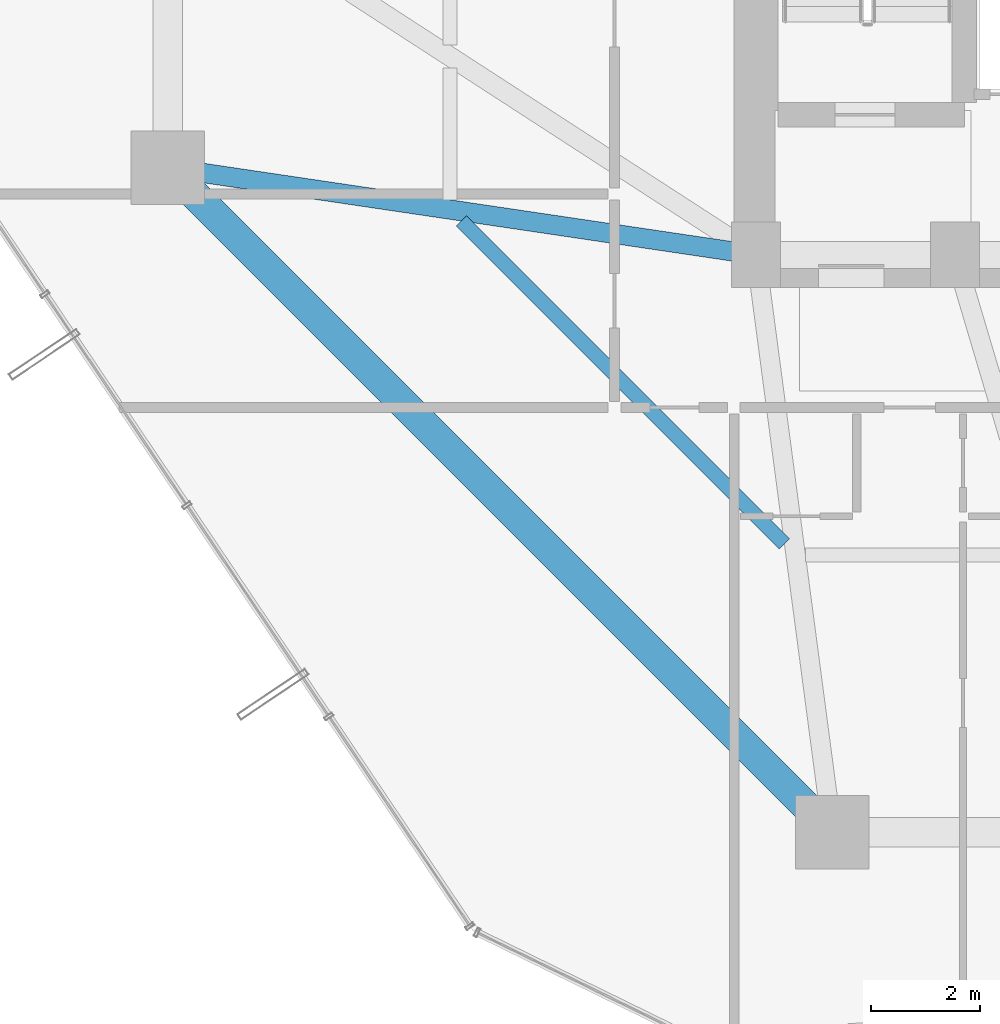
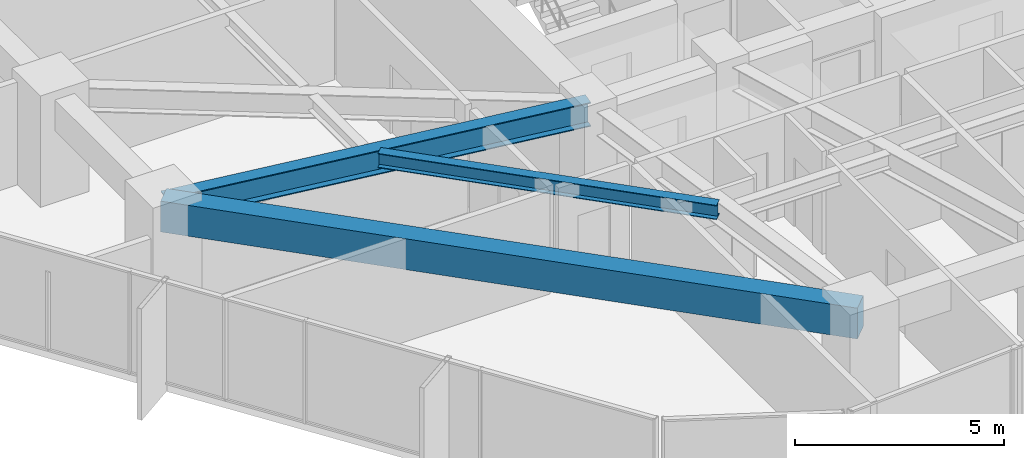
# One storey, part 5 of 37: 3 beams.
"""IFC4 building model written with IfcOpenShell, lengths in metres."""

import ifcopenshell
import ifcopenshell.guid

model = None  # the IFC model being written
_history = None  # IfcOwnerHistory: only IFC2X3 demands one
_inside = {}  # id of a spatial element -> (the spatial element, [elements in it])
_under = {}  # id of a project, library or spatial element -> (it, [spatial elements below it])
_declared = {}  # id of a project -> (the project, [libraries it declares])
_typed = {}  # id of a type object -> (the type object, [elements of that type])
_made_of = {}  # id of a material, layer set ... -> (it, [elements and type objects made of it])


def new_model(schema):
    """Start an empty IFC model of exactly this schema.

    Asked for "IFC4X3", IfcOpenShell would pick the latest addendum, in which some entities
    have other attributes; the version numbers below select the first issue.
    IFC2X3 requires an IfcOwnerHistory on every rooted entity: one is made here for all.
    """
    global model, _history
    if schema == "IFC4X3":
        model = ifcopenshell.file(schema_version=(4, 3, 0, 0))
    else:
        model = ifcopenshell.file(schema=schema)
    _inside.clear()
    _under.clear()
    _declared.clear()
    _typed.clear()
    _made_of.clear()
    _history = None
    if model.schema == "IFC2X3":
        org = make("IfcOrganization", Name="unknown")
        user = make(
            "IfcPersonAndOrganization",
            ThePerson=make("IfcPerson", FamilyName="unknown"),
            TheOrganization=org,
        )
        app = make(
            "IfcApplication",
            ApplicationDeveloper=org,
            Version="unknown",
            ApplicationFullName="unknown",
            ApplicationIdentifier="unknown",
        )
        _history = make(
            "IfcOwnerHistory",
            OwningUser=user,
            OwningApplication=app,
            ChangeAction="ADDED",
            CreationDate=0,
        )
    return model


def make(cls, **values):
    """One entity of the class cls with the attributes given. An attribute that is None is left unset."""
    return model.create_entity(
        cls, **{name: value for name, value in values.items() if value is not None}
    )


def rooted(cls, **values):
    """An entity with a GlobalId (a new one), such as an element, a storey or a relation."""
    return make(cls, GlobalId=ifcopenshell.guid.new(), OwnerHistory=_history, **values)


def si_unit(unit_type, name, prefix=None):
    """IfcSIUnit, for example si_unit("LENGTHUNIT", "METRE", prefix="MILLI")."""
    return make("IfcSIUnit", UnitType=unit_type, Prefix=prefix, Name=name)


def assignment(units):
    """IfcUnitAssignment: the units of a project."""
    return None if units is None else make("IfcUnitAssignment", Units=units)


def point(xyz):
    """IfcCartesianPoint."""
    return None if xyz is None else make("IfcCartesianPoint", Coordinates=xyz)


def direction(xyz):
    """IfcDirection."""
    return None if xyz is None else make("IfcDirection", DirectionRatios=xyz)


def frame(location, z_axis=None, x_axis=None):
    """IfcAxis2Placement3D, a coordinate frame: its origin and axes. An axis left out is left unset."""
    return make(
        "IfcAxis2Placement3D",
        Location=point(location),
        Axis=direction(z_axis),
        RefDirection=direction(x_axis),
    )


def frame_2d(location, x_axis=None):
    """IfcAxis2Placement2D, a coordinate frame in the plane: its origin and x axis."""
    return make(
        "IfcAxis2Placement2D", Location=point(location), RefDirection=direction(x_axis)
    )


def origin():
    """The frame at (0, 0, 0) with its axes left unset."""
    return frame((0.0, 0.0, 0.0))


def origin_2d():
    """The frame at (0, 0) in the plane with its x axis left unset."""
    return frame_2d((0.0, 0.0))


def place(relative_to, where):
    """IfcLocalPlacement: puts the frame where relative to a parent placement (None: the world)."""
    return make(
        "IfcLocalPlacement", PlacementRelTo=relative_to, RelativePlacement=where
    )


def context(
    kind, dimensions, precision=None, world=None, true_north=None, identifier=None
):
    """IfcGeometricRepresentationContext, for example the 3D "Model" context."""
    return make(
        "IfcGeometricRepresentationContext",
        ContextIdentifier=identifier,
        ContextType=kind,
        CoordinateSpaceDimension=dimensions,
        Precision=precision,
        WorldCoordinateSystem=world,
        TrueNorth=true_north,
    )


def subcontext(parent, identifier, kind, view, scale=None):
    """IfcGeometricRepresentationSubContext, for example "Body" below "Model"."""
    return make(
        "IfcGeometricRepresentationSubContext",
        ContextIdentifier=identifier,
        ContextType=kind,
        ParentContext=parent,
        TargetScale=scale,
        TargetView=view,
    )


def project(units=None, contexts=None):
    """IfcProject with its units and contexts."""
    return rooted(
        "IfcProject",
        Name="project",
        RepresentationContexts=contexts,
        UnitsInContext=assignment(units),
    )


def spatial(cls, under=None, at=None, **own):
    """A site, building, storey or space (cls), placed at a placement, below another one or the project."""
    s = rooted(cls, ObjectPlacement=at, **own)
    if under is not None:
        _under.setdefault(under.id(), (under, []))[1].append(s)
    return s


def profile(cls, at=None, kind="AREA", **sizes):
    """A parametric profile (cls). Its sizes go by their IFC names, for example OverallWidth=200.0."""
    return make(cls, ProfileType=kind, Position=at, **sizes)


def rectangle(**sizes):
    """IfcRectangleProfileDef."""
    return profile("IfcRectangleProfileDef", **sizes)


def i_section(**sizes):
    """IfcIShapeProfileDef."""
    return profile("IfcIShapeProfileDef", **sizes)


def extrude(swept, where, along, depth):
    """IfcExtrudedAreaSolid: the profile swept, set in the frame where, extruded along a direction by depth."""
    return make(
        "IfcExtrudedAreaSolid",
        SweptArea=swept,
        Position=where,
        ExtrudedDirection=direction(along),
        Depth=depth,
    )


def shape(context_of_items, identifier, shape_type, items):
    """IfcShapeRepresentation: the items that make up one representation, for example the "Body"."""
    return make(
        "IfcShapeRepresentation",
        ContextOfItems=context_of_items,
        RepresentationIdentifier=identifier,
        RepresentationType=shape_type,
        Items=items,
    )


def material(Name=None, Category=None):
    """IfcMaterial."""
    return make("IfcMaterial", Name=Name, Category=Category)


def material_profile(
    of_material, cross_section, Name=None, Category=None, Priority=None
):
    """IfcMaterialProfile: a cross section and its material."""
    return make(
        "IfcMaterialProfile",
        Name=Name,
        Material=of_material,
        Profile=cross_section,
        Priority=Priority,
        Category=Category,
    )


def profile_set(profiles, Name=None, composite=None):
    """IfcMaterialProfileSet."""
    return make(
        "IfcMaterialProfileSet",
        Name=Name,
        MaterialProfiles=profiles,
        CompositeProfile=composite,
    )


def made_of(thing, what):
    """Note that an element or type object is made of a material, layer set ...; save() writes the relation."""
    if what is not None:
        _made_of.setdefault(what.id(), (what, []))[1].append(thing)
    return thing


def type_object(cls, material=None, **own):
    """A type object (cls), such as IfcWallType, which elements share."""
    return made_of(rooted(cls, **own), material)


def element(
    cls,
    number,
    at=None,
    inside=None,
    cuts=None,
    type_object=None,
    material=None,
    context=None,
    identifier="Body",
    shape_type=None,
    held_by="IfcProductDefinitionShape",
    body=None,
    shapes=None,
    **own,
):
    """One element of the class cls, such as IfcWall. Its Tag is "e" and its number.

    at: its placement. inside: the storey or other place that contains it. cuts: it is an
    opening in that element (IfcRelVoidsElement). A single representation is given by context,
    identifier, shape_type and body (its items); several are given by shapes. held_by: the class
    of the entity that holds the representations. save() writes the other relations.
    """
    e = rooted(cls, Tag="e%d" % number, ObjectPlacement=at, **own)
    if body is not None:
        shapes = [shape(context, identifier, shape_type, body)]
    if shapes is not None:
        e.Representation = make(held_by, Representations=shapes)
    if inside is not None:
        _inside.setdefault(inside.id(), (inside, []))[1].append(e)
    if cuts is not None:
        rooted(
            "IfcRelVoidsElement", RelatingBuildingElement=cuts, RelatedOpeningElement=e
        )
    if type_object is not None:
        _typed.setdefault(type_object.id(), (type_object, []))[1].append(e)
    return made_of(e, material)


def aggregate(whole, parts):
    """IfcRelAggregates: a whole, such as a stair, and the parts it consists of."""
    return rooted("IfcRelAggregates", RelatingObject=whole, RelatedObjects=parts)


def save(model, path):
    """Write the relations noted so far, then the file.

    IfcRelAggregates (storeys below a building ...), IfcRelContainedInSpatialStructure (elements
    in a storey), IfcRelDefinesByType, IfcRelAssociatesMaterial and IfcRelDeclares: one each for
    every whole, place, type object, material and project.
    """
    for whole, parts in _under.values():
        aggregate(whole, parts)
    for where, things in _inside.values():
        rooted(
            "IfcRelContainedInSpatialStructure",
            RelatedElements=things,
            RelatingStructure=where,
        )
    for kind, things in _typed.values():
        rooted("IfcRelDefinesByType", RelatedObjects=things, RelatingType=kind)
    for what, things in _made_of.values():
        rooted("IfcRelAssociatesMaterial", RelatedObjects=things, RelatingMaterial=what)
    for by, libraries in _declared.values():
        rooted("IfcRelDeclares", RelatingContext=by, RelatedDefinitions=libraries)
    model.write(path)


model = new_model("IFC4")

# Units and contexts
model_context = context("Model", 3, precision=1e-05, world=origin(), true_north=direction((0.0, 1.0)))
body_context = subcontext(model_context, "Body", "Model", "MODEL_VIEW")
ifc_project = project(units=[si_unit("LENGTHUNIT", "METRE"), si_unit("AREAUNIT", "SQUARE_METRE"), si_unit("VOLUMEUNIT", "CUBIC_METRE"), si_unit("PLANEANGLEUNIT", "RADIAN"), si_unit("MASSUNIT", "GRAM", prefix="KILO")], contexts=[model_context])

# Site, building, storey
site_placement = place(None, origin())
site = spatial("IfcSite", under=ifc_project, at=site_placement, CompositionType="ELEMENT")
building_placement = place(site_placement, origin())
building = spatial("IfcBuilding", under=site, at=building_placement, Name="Veraguas Prism Commons", CompositionType="ELEMENT")
storey_placement = place(building_placement, frame((0.0, 0.0, 37.050048828125)))
storey = spatial("IfcBuildingStorey", under=building, at=storey_placement, Name="L09", CompositionType="ELEMENT", Elevation=37.050048828125)

# Beams
ifc_material_1 = material(Name="Steel ASTM A992 Grade 50", Category="steel")
ifc_material_profile_1 = material_profile(ifc_material_1, i_section(OverallWidth=0.260986328125, OverallDepth=0.419921875, WebThickness=0.01171875, FlangeThickness=0.019287109375, at=origin_2d()), Name="W410X114")
ifc_profile_set_1 = profile_set([ifc_material_profile_1], Name="Steel ASTM A992 Grade 50")
beam_type_1 = type_object("IfcBeamType", Name="Lower Floor Joist W410x114", PredefinedType="JOIST", material=ifc_profile_set_1)
beam_1_placement = place(storey_placement, frame((11.79296875, 17.623046875, 2.7900390625), z_axis=(0.707092226423, -0.70712133565, 0.0), x_axis=(0.70712133565, 0.707092226423, 0.0)))
element("IfcBeam", 1, at=beam_1_placement, inside=storey, type_object=beam_type_1, Name="Composite Floor Joist L09-JS09", PredefinedType="JOIST", context=body_context, shape_type="SweptSolid", body=[
    extrude(i_section(OverallWidth=0.260986328125, OverallDepth=0.419921875, WebThickness=0.01171875, FlangeThickness=0.019287109375, at=origin_2d()), origin(), (0.0, 0.0, 1.0), 8.386962890625),
])
ifc_material_2 = material(Name="Concrete C50/60", Category="concrete")
ifc_material_profile_2 = material_profile(ifc_material_2, rectangle(XDim=0.550048828125, YDim=0.89990234375, at=origin_2d()), Name="RC550X900")
ifc_profile_set_2 = profile_set([ifc_material_profile_2], Name="Concrete C50/60")
beam_type_2 = type_object("IfcBeamType", Name="Perimeter Spandrel Lower RC 550x900", PredefinedType="SPANDREL", material=ifc_profile_set_2)
beam_2_placement = place(storey_placement, frame((6.39990234375, 18.60009765625, 2.550048828125), z_axis=(0.707106781187, -0.707106781187, 0.0), x_axis=(0.707106781187, 0.707106781187, 0.0)))
element("IfcBeam", 2, at=beam_2_placement, inside=storey, type_object=beam_type_2, Name="Perimeter Spandrel Beam L09-SP09", PredefinedType="SPANDREL", context=body_context, shape_type="SweptSolid", body=[
    extrude(rectangle(XDim=0.550048828125, YDim=0.89990234375, at=origin_2d()), origin(), (0.0, 0.0, 1.0), 17.253662109375),
])
ifc_material_profile_3 = material_profile(ifc_material_1, i_section(OverallWidth=0.35595703125, OverallDepth=0.700927734375, WebThickness=0.016845703125, FlangeThickness=0.02734375, at=origin_2d()), Name="W690X240")
ifc_profile_set_3 = profile_set([ifc_material_profile_3], Name="Steel ASTM A992 Grade 50")
beam_type_3 = type_object("IfcBeamType", Name="Zone 1 Radial Girder W690x240", PredefinedType="BEAM", material=ifc_profile_set_3)
beam_3_placement = place(storey_placement, frame((6.39990234375, 18.60009765625, 2.6494140625), z_axis=(0.989202261707, -0.146556765224, 0.0), x_axis=(0.146556765224, 0.989202261707, 0.0)))
element("IfcBeam", 3, at=beam_3_placement, inside=storey, type_object=beam_type_3, Name="Radial Floor Girder L09-RD09", PredefinedType="BEAM", context=body_context, shape_type="SweptSolid", body=[
    extrude(i_section(OverallWidth=0.35595703125, OverallDepth=0.700927734375, WebThickness=0.016845703125, FlangeThickness=0.02734375, at=origin_2d()), origin(), (0.0, 0.0, 1.0), 10.91796875),
])

save(model, "model.ifc")
